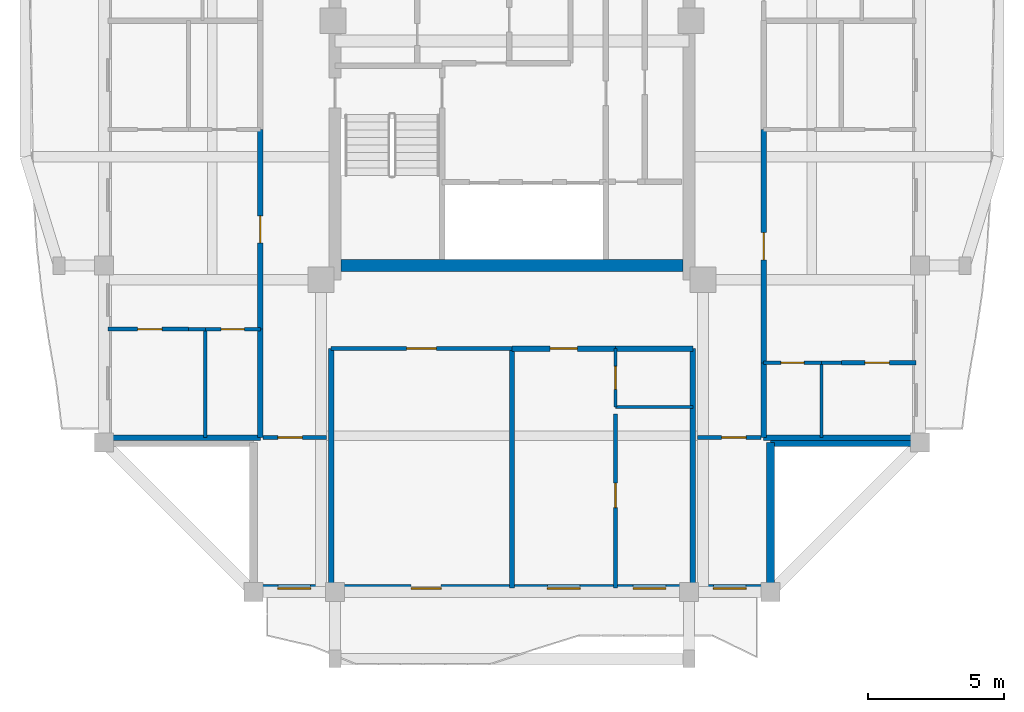
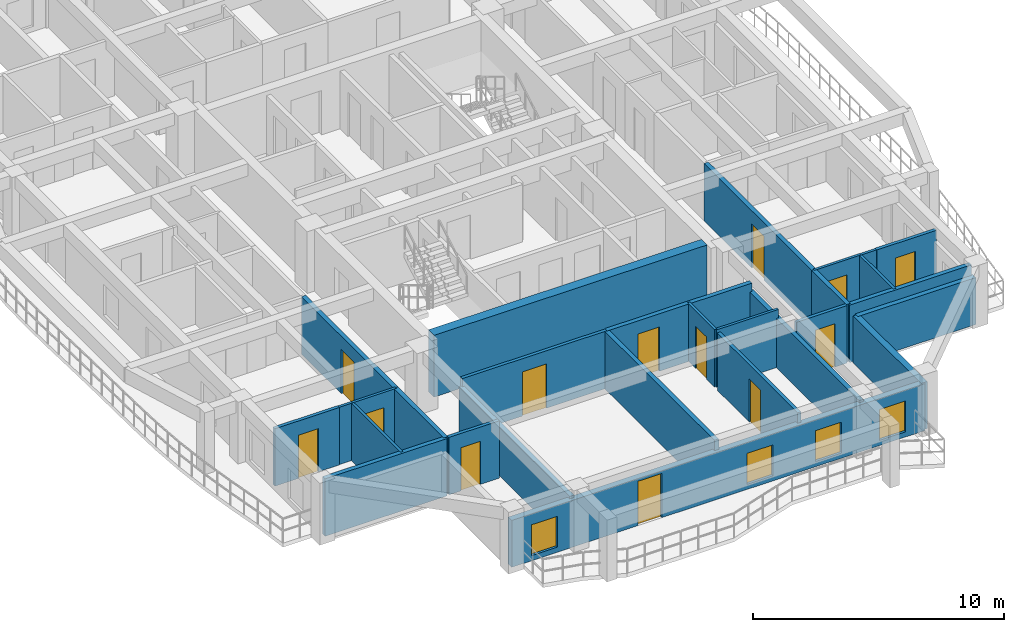
# One storey, part 2 of 12: 29 walls, 13 doors, 4 windows, 17 openings.
"""IFC4 building model written with IfcOpenShell, lengths in metres."""

from ifc_helpers import new_model, si_unit, direction, frame, frame_2d, origin, place, context, subcontext, project, spatial, rectangle, extrude, source, transform, mapped, material, layer, layer_set, type_object, element, fill, save


model = new_model("IFC4")

# Units and contexts
model_context = context("Model", 3, precision=1e-05, world=origin(), true_north=direction((0.0, 1.0)))
body_context = subcontext(model_context, "Body", "Model", "MODEL_VIEW")
ifc_project = project(units=[si_unit("LENGTHUNIT", "METRE"), si_unit("AREAUNIT", "SQUARE_METRE"), si_unit("VOLUMEUNIT", "CUBIC_METRE"), si_unit("PLANEANGLEUNIT", "RADIAN"), si_unit("MASSUNIT", "GRAM", prefix="KILO")], contexts=[model_context])

# Site, building, storey
site_placement = place(None, origin())
site = spatial("IfcSite", under=ifc_project, at=site_placement, CompositionType="ELEMENT")
building_placement = place(site_placement, origin())
building = spatial("IfcBuilding", under=site, at=building_placement, Name="Saelheon Loggia Tower", CompositionType="ELEMENT")
storey_placement = place(building_placement, frame((0.0, 0.0, 243.0)))
storey = spatial("IfcBuildingStorey", under=building, at=storey_placement, Name="L75", CompositionType="ELEMENT", Elevation=243.0)

# Wall
ifc_material_1 = material(Name="Concrete C45/55", Category="concrete")
ifc_layer_1 = layer(ifc_material_1, 0.449951171875)
ifc_layer_set_1 = layer_set([ifc_layer_1], Name="Concrete C45/55")
wall_type_1 = type_object("IfcWallType", Name="Wall_CoreShear_450", PredefinedType="SHEAR", material=ifc_layer_set_1)
wall_1_placement = place(storey_placement, frame((31.72509765625, 18.0, 0.0), z_axis=(0.0, 0.0, 1.0), x_axis=(1.0, 0.0, 0.0)))
element("IfcWall", 1, at=wall_1_placement, inside=storey, type_object=wall_type_1, Name="L75 Core Shear Wall South", PredefinedType="SHEAR", context=body_context, shape_type="SweptSolid", body=[
    extrude(rectangle(XDim=12.5498046875, YDim=0.449951171875, at=frame_2d((6.27490234375, 0.0))), origin(), (0.0, 0.0, 1.0), 3.0),
])

# Wall, openings, windows, door
ifc_material_2 = material(Name="Architectural Precast Concrete C40/50", Category="concrete")
ifc_layer_2 = layer(ifc_material_2, 0.280029296875)
ifc_layer_set_2 = layer_set([ifc_layer_2], Name="Architectural Precast Concrete C40/50")
wall_type_2 = type_object("IfcWallType", Name="Wall_Ext_Loggia_280", PredefinedType="SOLIDWALL", material=ifc_layer_set_2)
wall_2_placement = place(storey_placement, frame((28.5, 6.139892578125, 0.0), z_axis=(0.0, 0.0, 1.0), x_axis=(1.0, 0.0, 0.0)))
wall_2 = element("IfcWall", 2, at=wall_2_placement, inside=storey, type_object=wall_type_2, Name="L75 South Loggia Inner Wall", PredefinedType="SOLIDWALL", context=body_context, shape_type="SweptSolid", body=[
    extrude(rectangle(XDim=19.0, YDim=0.280029296875, at=frame_2d((9.5, 0.0))), origin(), (0.0, 0.0, 1.0), 2.280029296875),
])
opening_1_placement = place(wall_2_placement, frame((0.89990234375, 0.0, 0.25)))
opening_1 = element("IfcOpeningElement", 3, at=opening_1_placement, cuts=wall_2, Name="Opening WN-03", PredefinedType="OPENING", context=body_context, shape_type="SweptSolid", body=[
    extrude(rectangle(XDim=1.199951171875, YDim=1.5, at=frame_2d((0.60009765625, 0.75))), frame((0.0, 0.152099609375, 0.0), z_axis=(0.0, -1.0, 0.0), x_axis=(1.0, 0.0, 0.0)), (0.0, 0.0, 1.0), 0.303955078125),
])
opening_2_placement = place(wall_2_placement, frame((6.89501953125, 0.0, 0.0), z_axis=(0.0, 0.0, 1.0), x_axis=(-1.0, 0.0, 0.0)))
opening_2 = element("IfcOpeningElement", 4, at=opening_2_placement, cuts=wall_2, Name="Opening TD1", PredefinedType="OPENING", context=body_context, shape_type="SweptSolid", body=[
    extrude(rectangle(XDim=1.10009765625, YDim=2.14990234375, at=frame_2d((0.550048828125, 1.074951171875))), frame((0.0, 0.152099609375, 0.0), z_axis=(0.0, -1.0, 0.0), x_axis=(1.0, 0.0, 0.0)), (0.0, 0.0, 1.0), 0.303955078125),
])
opening_3_placement = place(wall_2_placement, frame((10.800048828125, 0.0, 0.25)))
opening_3 = element("IfcOpeningElement", 5, at=opening_3_placement, cuts=wall_2, Name="Opening WN-03", PredefinedType="OPENING", context=body_context, shape_type="SweptSolid", body=[
    extrude(rectangle(XDim=1.199951171875, YDim=1.5, at=frame_2d((0.60009765625, 0.75))), frame((0.0, 0.152099609375, 0.0), z_axis=(0.0, -1.0, 0.0), x_axis=(1.0, 0.0, 0.0)), (0.0, 0.0, 1.0), 0.303955078125),
])
opening_4_placement = place(wall_2_placement, frame((13.955078125, 0.0, 0.25)))
opening_4 = element("IfcOpeningElement", 6, at=opening_4_placement, cuts=wall_2, Name="Opening WN-03", PredefinedType="OPENING", context=body_context, shape_type="SweptSolid", body=[
    extrude(rectangle(XDim=1.199951171875, YDim=1.5, at=frame_2d((0.60009765625, 0.75))), frame((0.0, 0.152099609375, 0.0), z_axis=(0.0, -1.0, 0.0), x_axis=(1.0, 0.0, 0.0)), (0.0, 0.0, 1.0), 0.303955078125),
])
opening_5_placement = place(wall_2_placement, frame((16.89990234375, 0.0, 0.25)))
opening_5 = element("IfcOpeningElement", 7, at=opening_5_placement, cuts=wall_2, Name="Opening WN-03", PredefinedType="OPENING", context=body_context, shape_type="SweptSolid", body=[
    extrude(rectangle(XDim=1.199951171875, YDim=1.5, at=frame_2d((0.60009765625, 0.75))), frame((0.0, 0.152099609375, 0.0), z_axis=(0.0, -1.0, 0.0), x_axis=(1.0, 0.0, 0.0)), (0.0, 0.0, 1.0), 0.303955078125),
])
ifc_material_3 = material(Name="Thermal-Break Aluminium and Triple Low-E Glass", Category="aluminium")
window_type = type_object("IfcWindowType", Name="Win_Bedroom_1200x1500", PartitioningType="SINGLE_PANEL", PredefinedType="WINDOW", material=ifc_material_3)
shared_shape_1 = source(origin(), body_context, "Body", "SweptSolid", [
    extrude(rectangle(XDim=1.199951171875, YDim=1.5, at=frame_2d((0.60009765625, 0.75))), frame((0.0, 0.030029296875, 0.0), z_axis=(0.0, -1.0, 0.0), x_axis=(1.0, 0.0, 0.0)), (0.0, 0.0, 1.0), 0.06005859375),
])
window_1_placement = place(opening_1_placement, origin())
window_1 = element("IfcWindow", 8, at=window_1_placement, inside=storey, type_object=window_type, Name="L75 S Dwelling Window 1", OverallHeight=1.5, OverallWidth=1.199951171875, PartitioningType="SINGLE_PANEL", PredefinedType="WINDOW", context=body_context, shape_type="MappedRepresentation", body=[
    mapped(shared_shape_1, transform((0.0, 0.0, 0.0), scale=1.0)),
])
fill(opening_1, window_1)
window_2_placement = place(opening_3_placement, origin())
window_2 = element("IfcWindow", 9, at=window_2_placement, inside=storey, type_object=window_type, Name="L75 S Dwelling Window 3", OverallHeight=1.5, OverallWidth=1.199951171875, PartitioningType="SINGLE_PANEL", PredefinedType="WINDOW", context=body_context, shape_type="MappedRepresentation", body=[
    mapped(shared_shape_1, transform((0.0, 0.0, 0.0), scale=1.0)),
])
fill(opening_3, window_2)
window_3_placement = place(opening_4_placement, origin())
window_3 = element("IfcWindow", 10, at=window_3_placement, inside=storey, type_object=window_type, Name="L75 S Dwelling Window 4", OverallHeight=1.5, OverallWidth=1.199951171875, PartitioningType="SINGLE_PANEL", PredefinedType="WINDOW", context=body_context, shape_type="MappedRepresentation", body=[
    mapped(shared_shape_1, transform((0.0, 0.0, 0.0), scale=1.0)),
])
fill(opening_4, window_3)
window_4_placement = place(opening_5_placement, origin())
window_4 = element("IfcWindow", 11, at=window_4_placement, inside=storey, type_object=window_type, Name="L75 S Dwelling Window 5", OverallHeight=1.5, OverallWidth=1.199951171875, PartitioningType="SINGLE_PANEL", PredefinedType="WINDOW", context=body_context, shape_type="MappedRepresentation", body=[
    mapped(shared_shape_1, transform((0.0, 0.0, 0.0), scale=1.0)),
])
fill(opening_5, window_4)
ifc_material_4 = material(Name="Thermal-Break Aluminium Glazed Door", Category="aluminium")
door_type_1 = type_object("IfcDoorType", Name="Door_Terrace_TD1", OperationType="NOTDEFINED", PredefinedType="DOOR", material=ifc_material_4)
shared_shape_2 = source(origin(), body_context, "Body", "SweptSolid", [
    extrude(rectangle(XDim=1.10009765625, YDim=2.14990234375, at=frame_2d((0.550048828125, 1.074951171875))), frame((0.0, 0.02490234375, 0.0), z_axis=(0.0, -1.0, 0.0), x_axis=(1.0, 0.0, 0.0)), (0.0, 0.0, 1.0), 0.050048828125),
])
door_1_placement = place(opening_2_placement, origin())
door_1 = element("IfcDoor", 12, at=door_1_placement, inside=storey, type_object=door_type_1, Name="L75 S Loggia Access Door", OperationType="SINGLE_SWING_RIGHT", OverallHeight=2.14990234375, OverallWidth=1.10009765625, PredefinedType="DOOR", context=body_context, shape_type="MappedRepresentation", body=[
    mapped(shared_shape_2, transform((0.0, 0.0, 0.0), scale=1.0)),
])
fill(opening_2, door_1)

# Walls
for number, where, z_axis, x_axis, name in (
    (13, (47.5, 6.080078125, 0.0), (0.0, 0.0, 1.0), (0.0, 1.0, 0.0), "L75 Corner Notch Precast Wall SE1"),
    (14, (47.5, 11.5, 0.0), (0.0, 0.0, 1.0), (1.0, 0.0, 0.0), "L75 Corner Notch Precast Wall SE2"),
):
    element("IfcWall", number, at=place(storey_placement, frame(where, z_axis=z_axis, x_axis=x_axis)), inside=storey, type_object=wall_type_2, Name=name, PredefinedType="SOLIDWALL", context=body_context, shape_type="SweptSolid", body=[
        extrude(rectangle(XDim=5.419921875, YDim=0.280029296875, at=frame_2d((2.7099609375, 0.0))), origin(), (0.0, 0.0, 1.0), 2.280029296875),
    ])

# Wall, opening, door
ifc_material_5 = material(Name="Lightweight Autoclaved Aerated Concrete Block and Acoustic Gypsum", Category="concrete")
ifc_layer_3 = layer(ifc_material_5, 0.14990234375)
ifc_layer_set_3 = layer_set([ifc_layer_3], Name="Lightweight Autoclaved Aerated Concrete Block and Acoustic Gypsum")
wall_type_3 = type_object("IfcWallType", Name="Wall_Part_150", PredefinedType="PARTITIONING", material=ifc_layer_set_3)
wall_3_placement = place(storey_placement, frame((28.85009765625, 11.679931640625, 0.0), z_axis=(0.0, 0.0, 1.0), x_axis=(1.0, 0.0, 0.0)))
wall_3 = element("IfcWall", 15, at=wall_3_placement, inside=storey, type_object=wall_type_3, Name="PW-L75-CSW-H", PredefinedType="PARTITIONING", context=body_context, shape_type="SweptSolid", body=[
    extrude(rectangle(XDim=2.329833984375, YDim=0.14990234375, at=frame_2d((1.1650390625, 0.0))), origin(), (0.0, 0.0, 1.0), 2.7900390625),
])
opening_6_placement = place(wall_3_placement, frame((0.550048828125, 0.0, 0.0)))
opening_6 = element("IfcOpeningElement", 16, at=opening_6_placement, cuts=wall_3, Name="Opening D-IN2", PredefinedType="OPENING", context=body_context, shape_type="SweptSolid", body=[
    extrude(rectangle(XDim=0.89990234375, YDim=2.10009765625, at=frame_2d((0.449951171875, 1.050048828125))), frame((0.0, 0.0869140625, 0.0), z_axis=(0.0, -1.0, 0.0), x_axis=(1.0, 0.0, 0.0)), (0.0, 0.0, 1.0), 0.173828125),
])
ifc_material_6 = material(Name="Engineered Oak Flush Door", Category="timber")
door_type_2 = type_object("IfcDoorType", Name="Door_Int_900", OperationType="NOTDEFINED", PredefinedType="DOOR", material=ifc_material_6)
shared_shape_3 = source(origin(), body_context, "Body", "SweptSolid", [
    extrude(rectangle(XDim=0.89990234375, YDim=2.10009765625, at=frame_2d((0.449951171875, 1.050048828125))), frame((0.0, 0.02490234375, 0.0), z_axis=(0.0, -1.0, 0.0), x_axis=(1.0, 0.0, 0.0)), (0.0, 0.0, 1.0), 0.050048828125),
])
door_2_placement = place(opening_6_placement, origin())
door_2 = element("IfcDoor", 17, at=door_2_placement, inside=storey, type_object=door_type_2, Name="L75 Corner Home Office SW Door", OperationType="SINGLE_SWING_LEFT", OverallHeight=2.10009765625, OverallWidth=0.89990234375, PredefinedType="DOOR", context=body_context, shape_type="MappedRepresentation", body=[
    mapped(shared_shape_3, transform((0.0, 0.0, 0.0), scale=1.0)),
])
fill(opening_6, door_2)

wall_4_placement = place(storey_placement, frame((44.820068359375, 11.679931640625, 0.0), z_axis=(0.0, 0.0, 1.0), x_axis=(1.0, 0.0, 0.0)))
wall_4 = element("IfcWall", 18, at=wall_4_placement, inside=storey, type_object=wall_type_3, Name="PW-L75-CSE-H", PredefinedType="PARTITIONING", context=body_context, shape_type="SweptSolid", body=[
    extrude(rectangle(XDim=2.329833984375, YDim=0.14990234375, at=frame_2d((1.1650390625, 0.0))), origin(), (0.0, 0.0, 1.0), 2.7900390625),
])
opening_7_placement = place(wall_4_placement, frame((0.8798828125, 0.0, 0.0)))
opening_7 = element("IfcOpeningElement", 19, at=opening_7_placement, cuts=wall_4, Name="Opening D-IN2", PredefinedType="OPENING", context=body_context, shape_type="SweptSolid", body=[
    extrude(rectangle(XDim=0.89990234375, YDim=2.10009765625, at=frame_2d((0.449951171875, 1.050048828125))), frame((0.0, 0.0869140625, 0.0), z_axis=(0.0, -1.0, 0.0), x_axis=(1.0, 0.0, 0.0)), (0.0, 0.0, 1.0), 0.173828125),
])
door_3_placement = place(opening_7_placement, origin())
door_3 = element("IfcDoor", 20, at=door_3_placement, inside=storey, type_object=door_type_2, Name="L75 Corner Reading Room SE Door", OperationType="SINGLE_SWING_LEFT", OverallHeight=2.10009765625, OverallWidth=0.89990234375, PredefinedType="DOOR", context=body_context, shape_type="MappedRepresentation", body=[
    mapped(shared_shape_3, transform((0.0, 0.0, 0.0), scale=1.0)),
])
fill(opening_7, door_3)

wall_5_placement = place(storey_placement, frame((31.35009765625, 14.949951171875, 0.0), z_axis=(0.0, 0.0, 1.0), x_axis=(1.0, 0.0, 0.0)))
wall_5 = element("IfcWall", 21, at=wall_5_placement, inside=storey, type_object=wall_type_3, Name="L75 S Partition V03", PredefinedType="PARTITIONING", context=body_context, shape_type="SweptSolid", body=[
    extrude(rectangle(XDim=6.64990234375, YDim=0.14990234375, at=frame_2d((3.324951171875, 0.0))), origin(), (0.0, 0.0, 1.0), 2.7900390625),
])
opening_8_placement = place(wall_5_placement, frame((2.77490234375, 0.0, 0.0)))
opening_8 = element("IfcOpeningElement", 22, at=opening_8_placement, cuts=wall_5, Name="Opening D-FD2", PredefinedType="OPENING", context=body_context, shape_type="SweptSolid", body=[
    extrude(rectangle(XDim=1.10009765625, YDim=2.14990234375, at=frame_2d((0.550048828125, 1.074951171875))), frame((0.0, 0.0869140625, 0.0), z_axis=(0.0, -1.0, 0.0), x_axis=(1.0, 0.0, 0.0)), (0.0, 0.0, 1.0), 0.173828125),
])
ifc_material_7 = material(Name="Galvanised Steel Fire Door", Category="steel")
door_type_3 = type_object("IfcDoorType", Name="Door_Fire_FD60_1100", OperationType="NOTDEFINED", PredefinedType="DOOR", material=ifc_material_7)
door_4_placement = place(opening_8_placement, origin())
door_4 = element("IfcDoor", 23, at=door_4_placement, inside=storey, type_object=door_type_3, Name="L75 Community Reading Library Door A", OperationType="SINGLE_SWING_LEFT", OverallHeight=2.14990234375, OverallWidth=1.10009765625, PredefinedType="DOOR", context=body_context, shape_type="MappedRepresentation", body=[
    mapped(shared_shape_2, transform((0.0, 0.0, 0.0), scale=1.0)),
])
fill(opening_8, door_4)

wall_6_placement = place(storey_placement, frame((41.800048828125, 12.550048828125, 0.0), z_axis=(0.0, 0.0, 1.0), x_axis=(0.0, -1.0, 0.0)))
wall_6 = element("IfcWall", 24, at=wall_6_placement, inside=storey, type_object=wall_type_3, Name="L75 S Partition U09", PredefinedType="PARTITIONING", context=body_context, shape_type="SweptSolid", body=[
    extrude(rectangle(XDim=6.400146484375, YDim=0.14990234375, at=frame_2d((3.2001953125, 0.0))), origin(), (0.0, 0.0, 1.0), 2.7900390625),
])
opening_9_placement = place(wall_6_placement, frame((2.540771484375, 0.0, 0.0)))
opening_9 = element("IfcOpeningElement", 25, at=opening_9_placement, cuts=wall_6, Name="Opening D-IN2", PredefinedType="OPENING", context=body_context, shape_type="SweptSolid", body=[
    extrude(rectangle(XDim=0.89990234375, YDim=2.10009765625, at=frame_2d((0.449951171875, 1.050048828125))), frame((0.0, 0.0869140625, 0.0), z_axis=(0.0, -1.0, 0.0), x_axis=(1.0, 0.0, 0.0)), (0.0, 0.0, 1.0), 0.173828125),
])
door_5_placement = place(opening_9_placement, origin())
door_5 = element("IfcDoor", 26, at=door_5_placement, inside=storey, type_object=door_type_2, Name="Unit U01 Kitchen Door", OperationType="SINGLE_SWING_RIGHT", OverallHeight=2.10009765625, OverallWidth=0.89990234375, PredefinedType="DOOR", context=body_context, shape_type="MappedRepresentation", body=[
    mapped(shared_shape_3, transform((0.0, 0.0, 0.0), scale=1.0)),
])
fill(opening_9, door_5)

wall_7_placement = place(storey_placement, frame((26.110107421875, 15.6630859375, 0.0), z_axis=(0.0, 0.0, 1.0), x_axis=(-1.0, 0.0, 0.0)))
wall_7 = element("IfcWall", 27, at=wall_7_placement, inside=storey, type_object=wall_type_3, Name="L75 W Partition U10", PredefinedType="PARTITIONING", context=body_context, shape_type="SweptSolid", body=[
    extrude(rectangle(XDim=2.960205078125, YDim=0.14990234375, at=frame_2d((1.47998046875, 0.0))), origin(), (0.0, 0.0, 1.0), 2.7900390625),
])
opening_10_placement = place(wall_7_placement, frame((0.964111328125, 0.0, 0.0)))
opening_10 = element("IfcOpeningElement", 28, at=opening_10_placement, cuts=wall_7, Name="Opening D-IN2", PredefinedType="OPENING", context=body_context, shape_type="SweptSolid", body=[
    extrude(rectangle(XDim=0.89990234375, YDim=2.10009765625, at=frame_2d((0.449951171875, 1.050048828125))), frame((0.0, 0.0869140625, 0.0), z_axis=(0.0, -1.0, 0.0), x_axis=(1.0, 0.0, 0.0)), (0.0, 0.0, 1.0), 0.173828125),
])
door_6_placement = place(opening_10_placement, origin())
door_6 = element("IfcDoor", 29, at=door_6_placement, inside=storey, type_object=door_type_2, Name="Unit U03 Bedroom 2 Door", OperationType="SINGLE_SWING_RIGHT", OverallHeight=2.10009765625, OverallWidth=0.89990234375, PredefinedType="DOOR", context=body_context, shape_type="MappedRepresentation", body=[
    mapped(shared_shape_3, transform((0.0, 0.0, 0.0), scale=1.0)),
])
fill(opening_10, door_6)

wall_8_placement = place(storey_placement, frame((50.10009765625, 14.429931640625, 0.0), z_axis=(0.0, 0.0, 1.0), x_axis=(1.0, 0.0, 0.0)))
wall_8 = element("IfcWall", 30, at=wall_8_placement, inside=storey, type_object=wall_type_3, Name="L75 E Partition U10", PredefinedType="PARTITIONING", context=body_context, shape_type="SweptSolid", body=[
    extrude(rectangle(XDim=2.75, YDim=0.14990234375, at=frame_2d((1.375, 0.0))), origin(), (0.0, 0.0, 1.0), 2.7900390625),
])
opening_11_placement = place(wall_8_placement, frame((0.867919921875, 0.0, 0.0)))
opening_11 = element("IfcOpeningElement", 31, at=opening_11_placement, cuts=wall_8, Name="Opening D-IN2", PredefinedType="OPENING", context=body_context, shape_type="SweptSolid", body=[
    extrude(rectangle(XDim=0.89990234375, YDim=2.10009765625, at=frame_2d((0.449951171875, 1.050048828125))), frame((0.0, 0.0869140625, 0.0), z_axis=(0.0, -1.0, 0.0), x_axis=(1.0, 0.0, 0.0)), (0.0, 0.0, 1.0), 0.173828125),
])
door_7_placement = place(opening_11_placement, origin())
door_7 = element("IfcDoor", 32, at=door_7_placement, inside=storey, type_object=door_type_2, Name="Unit U05 Kitchen Door", OperationType="SINGLE_SWING_RIGHT", OverallHeight=2.10009765625, OverallWidth=0.89990234375, PredefinedType="DOOR", context=body_context, shape_type="MappedRepresentation", body=[
    mapped(shared_shape_3, transform((0.0, 0.0, 0.0), scale=1.0)),
])
fill(opening_11, door_7)

# Walls
ifc_material_8 = material(Name="Double Acoustic Stud and Fireboard Partition", Category="gypsum")
ifc_layer_4 = layer(ifc_material_8, 0.199951171875)
ifc_layer_set_4 = layer_set([ifc_layer_4], Name="Double Acoustic Stud and Fireboard Partition")
wall_type_4 = type_object("IfcWallType", Name="Wall_Party_200", PredefinedType="PARTITIONING", material=ifc_layer_set_4)
for number, where, z_axis, x_axis, name in (
    (33, (31.35009765625, 14.949951171875, 0.0), (0.0, 0.0, 1.0), (0.0, -1.0, 0.0), "L75 S Partition U01"),
    (34, (44.64990234375, 14.949951171875, 0.0), (0.0, 0.0, 1.0), (0.0, -1.0, 0.0), "L75 S Partition U02"),
):
    element("IfcWall", number, at=place(storey_placement, frame(where, z_axis=z_axis, x_axis=x_axis)), inside=storey, type_object=wall_type_4, Name=name, PredefinedType="PARTITIONING", context=body_context, shape_type="SweptSolid", body=[
        extrude(rectangle(XDim=8.800048828125, YDim=0.199951171875, at=frame_2d((4.39990234375, 0.0))), origin(), (0.0, 0.0, 1.0), 2.389892578125),
    ])
wall_9_placement = place(storey_placement, frame((38.0, 14.949951171875, 0.0), z_axis=(0.0, 0.0, 1.0), x_axis=(0.0, -1.0, 0.0)))
element("IfcWall", 35, at=wall_9_placement, inside=storey, type_object=wall_type_4, Name="L75 S Partition U04", PredefinedType="PARTITIONING", context=body_context, shape_type="SweptSolid", body=[
    extrude(rectangle(XDim=8.800048828125, YDim=0.199951171875, at=frame_2d((4.39990234375, 0.0))), origin(), (0.0, 0.0, 1.0), 2.7900390625),
])

# Wall, opening, door
wall_10_placement = place(storey_placement, frame((38.0, 14.949951171875, 0.0), z_axis=(0.0, 0.0, 1.0), x_axis=(1.0, 0.0, 0.0)))
wall_10 = element("IfcWall", 36, at=wall_10_placement, inside=storey, type_object=wall_type_4, Name="L75 S Partition V05", PredefinedType="PARTITIONING", context=body_context, shape_type="SweptSolid", body=[
    extrude(rectangle(XDim=3.800048828125, YDim=0.199951171875, at=frame_2d((1.89990234375, 0.0))), origin(), (0.0, 0.0, 1.0), 2.7900390625),
])
opening_12_placement = place(wall_10_placement, frame((1.39990234375, 0.0, 0.0)))
opening_12 = element("IfcOpeningElement", 37, at=opening_12_placement, cuts=wall_10, Name="Opening D-FD1", PredefinedType="OPENING", context=body_context, shape_type="SweptSolid", body=[
    extrude(rectangle(XDim=1.0, YDim=2.14990234375, at=frame_2d((0.5, 1.074951171875))), frame((0.0, 0.112060546875, 0.0), z_axis=(0.0, -1.0, 0.0), x_axis=(1.0, 0.0, 0.0)), (0.0, 0.0, 1.0), 0.223876953125),
])
ifc_material_9 = material(Name="Fire-Rated Engineered Timber Entrance Door", Category="wood")
door_type_4 = type_object("IfcDoorType", Name="Door_Flat_FD30S", OperationType="NOTDEFINED", PredefinedType="DOOR", material=ifc_material_9)
shared_shape_4 = source(origin(), body_context, "Body", "SweptSolid", [
    extrude(rectangle(XDim=1.0, YDim=2.14990234375, at=frame_2d((0.5, 1.074951171875))), frame((0.0, 0.02490234375, 0.0), z_axis=(0.0, -1.0, 0.0), x_axis=(1.0, 0.0, 0.0)), (0.0, 0.0, 1.0), 0.050048828125),
])
door_8_placement = place(opening_12_placement, origin())
door_8 = element("IfcDoor", 38, at=door_8_placement, inside=storey, type_object=door_type_4, Name="Unit U01 Entrance Door", OperationType="SINGLE_SWING_RIGHT", OverallHeight=2.14990234375, OverallWidth=1.0, PredefinedType="DOOR", context=body_context, shape_type="MappedRepresentation", body=[
    mapped(shared_shape_4, transform((0.0, 0.0, 0.0), scale=1.0)),
])
fill(opening_12, door_8)

# Walls
wall_11_placement = place(storey_placement, frame((41.800048828125, 14.949951171875, 0.0), z_axis=(0.0, 0.0, 1.0), x_axis=(1.0, 0.0, 0.0)))
element("IfcWall", 39, at=wall_11_placement, inside=storey, type_object=wall_type_4, Name="L75 S Partition V06", PredefinedType="PARTITIONING", context=body_context, shape_type="SweptSolid", body=[
    extrude(rectangle(XDim=2.849853515625, YDim=0.199951171875, at=frame_2d((1.4248046875, 0.0))), origin(), (0.0, 0.0, 1.0), 2.7900390625),
])
wall_12_placement = place(storey_placement, frame((28.75, 11.679931640625, 0.0), z_axis=(0.0, 0.0, 1.0), x_axis=(-1.0, 0.0, 0.0)))
element("IfcWall", 40, at=wall_12_placement, inside=storey, type_object=wall_type_4, Name="L75 W Partition U01", PredefinedType="PARTITIONING", context=body_context, shape_type="SweptSolid", body=[
    extrude(rectangle(XDim=5.60009765625, YDim=0.199951171875, at=frame_2d((2.800048828125, 0.0))), origin(), (0.0, 0.0, 1.0), 2.7900390625),
])
wall_13_placement = place(storey_placement, frame((28.75, 11.679931640625, 0.0), z_axis=(0.0, 0.0, 1.0), x_axis=(0.0, 1.0, 0.0)))
element("IfcWall", 41, at=wall_13_placement, inside=storey, type_object=wall_type_4, Name="L75 W Partition V03", PredefinedType="PARTITIONING", context=body_context, shape_type="SweptSolid", body=[
    extrude(rectangle(XDim=3.983154296875, YDim=0.199951171875, at=frame_2d((1.99169921875, 0.0))), origin(), (0.0, 0.0, 1.0), 2.7900390625),
])

# Wall, opening, door
wall_14_placement = place(storey_placement, frame((28.75, 15.6630859375, 0.0), z_axis=(0.0, 0.0, 1.0), x_axis=(0.0, 1.0, 0.0)))
wall_14 = element("IfcWall", 42, at=wall_14_placement, inside=storey, type_object=wall_type_4, Name="L75 W Partition V04", PredefinedType="PARTITIONING", context=body_context, shape_type="SweptSolid", body=[
    extrude(rectangle(XDim=7.3369140625, YDim=0.199951171875, at=frame_2d((3.66845703125, 0.0))), origin(), (0.0, 0.0, 1.0), 2.7900390625),
])
opening_13_placement = place(wall_14_placement, frame((3.16845703125, 0.0, 0.0)))
opening_13 = element("IfcOpeningElement", 43, at=opening_13_placement, cuts=wall_14, Name="Opening D-FD1", PredefinedType="OPENING", context=body_context, shape_type="SweptSolid", body=[
    extrude(rectangle(XDim=1.0, YDim=2.14990234375, at=frame_2d((0.5, 1.074951171875))), frame((0.0, 0.112060546875, 0.0), z_axis=(0.0, -1.0, 0.0), x_axis=(1.0, 0.0, 0.0)), (0.0, 0.0, 1.0), 0.223876953125),
])
door_9_placement = place(opening_13_placement, origin())
door_9 = element("IfcDoor", 44, at=door_9_placement, inside=storey, type_object=door_type_4, Name="Unit U03 Entrance Door", OperationType="SINGLE_SWING_RIGHT", OverallHeight=2.14990234375, OverallWidth=1.0, PredefinedType="DOOR", context=body_context, shape_type="MappedRepresentation", body=[
    mapped(shared_shape_4, transform((0.0, 0.0, 0.0), scale=1.0)),
])
fill(opening_13, door_9)

# Walls
wall_15_placement = place(storey_placement, frame((47.25, 11.679931640625, 0.0), z_axis=(0.0, 0.0, 1.0), x_axis=(1.0, 0.0, 0.0)))
element("IfcWall", 45, at=wall_15_placement, inside=storey, type_object=wall_type_4, Name="L75 E Partition U01", PredefinedType="PARTITIONING", context=body_context, shape_type="SweptSolid", body=[
    extrude(rectangle(XDim=5.60009765625, YDim=0.199951171875, at=frame_2d((2.800048828125, 0.0))), origin(), (0.0, 0.0, 1.0), 2.7900390625),
])
wall_16_placement = place(storey_placement, frame((47.25, 11.679931640625, 0.0), z_axis=(0.0, 0.0, 1.0), x_axis=(0.0, 1.0, 0.0)))
element("IfcWall", 46, at=wall_16_placement, inside=storey, type_object=wall_type_4, Name="L75 E Partition V03", PredefinedType="PARTITIONING", context=body_context, shape_type="SweptSolid", body=[
    extrude(rectangle(XDim=2.75, YDim=0.199951171875, at=frame_2d((1.375, 0.0))), origin(), (0.0, 0.0, 1.0), 2.7900390625),
])

# Wall, opening, door
wall_17_placement = place(storey_placement, frame((47.25, 14.429931640625, 0.0), z_axis=(0.0, 0.0, 1.0), x_axis=(0.0, 1.0, 0.0)))
wall_17 = element("IfcWall", 47, at=wall_17_placement, inside=storey, type_object=wall_type_4, Name="L75 E Partition V04", PredefinedType="PARTITIONING", context=body_context, shape_type="SweptSolid", body=[
    extrude(rectangle(XDim=8.570068359375, YDim=0.199951171875, at=frame_2d((4.28515625, 0.0))), origin(), (0.0, 0.0, 1.0), 2.7900390625),
])
opening_14_placement = place(wall_17_placement, frame((3.784912109375, 0.0, 0.0)))
opening_14 = element("IfcOpeningElement", 48, at=opening_14_placement, cuts=wall_17, Name="Opening D-FD1", PredefinedType="OPENING", context=body_context, shape_type="SweptSolid", body=[
    extrude(rectangle(XDim=1.0, YDim=2.14990234375, at=frame_2d((0.5, 1.074951171875))), frame((0.0, 0.112060546875, 0.0), z_axis=(0.0, -1.0, 0.0), x_axis=(1.0, 0.0, 0.0)), (0.0, 0.0, 1.0), 0.223876953125),
])
door_10_placement = place(opening_14_placement, origin())
door_10 = element("IfcDoor", 49, at=door_10_placement, inside=storey, type_object=door_type_4, Name="Unit U05 Entrance Door", OperationType="SINGLE_SWING_RIGHT", OverallHeight=2.14990234375, OverallWidth=1.0, PredefinedType="DOOR", context=body_context, shape_type="MappedRepresentation", body=[
    mapped(shared_shape_4, transform((0.0, 0.0, 0.0), scale=1.0)),
])
fill(opening_14, door_10)

ifc_material_10 = material(Name="Moisture-Resistant Cement Board Partition", Category="gypsum")
ifc_layer_5 = layer(ifc_material_10, 0.1201171875)
ifc_layer_set_5 = layer_set([ifc_layer_5], Name="Moisture-Resistant Cement Board Partition")
wall_type_5 = type_object("IfcWallType", Name="Wall_WetPart_120", PredefinedType="PARTITIONING", material=ifc_layer_set_5)
wall_18_placement = place(storey_placement, frame((41.800048828125, 14.949951171875, 0.0), z_axis=(0.0, 0.0, 1.0), x_axis=(0.0, -1.0, 0.0)))
wall_18 = element("IfcWall", 50, at=wall_18_placement, inside=storey, type_object=wall_type_5, Name="L75 S Partition U07", PredefinedType="PARTITIONING", context=body_context, shape_type="SweptSolid", body=[
    extrude(rectangle(XDim=2.14990234375, YDim=0.1201171875, at=frame_2d((1.074951171875, 0.0))), origin(), (0.0, 0.0, 1.0), 2.7900390625),
])
opening_15_placement = place(wall_18_placement, frame((0.64990234375, 0.0, 0.0)))
opening_15 = element("IfcOpeningElement", 51, at=opening_15_placement, cuts=wall_18, Name="Opening D-BT1", PredefinedType="OPENING", context=body_context, shape_type="SweptSolid", body=[
    extrude(rectangle(XDim=0.85009765625, YDim=2.050048828125, at=frame_2d((0.425048828125, 1.02490234375))), frame((0.0, 0.072021484375, 0.0), z_axis=(0.0, -1.0, 0.0), x_axis=(1.0, 0.0, 0.0)), (0.0, 0.0, 1.0), 0.14404296875),
])
ifc_material_11 = material(Name="Moisture-Resistant Laminate Timber Door", Category="wood")
door_type_5 = type_object("IfcDoorType", Name="Door_Bath_850", OperationType="NOTDEFINED", PredefinedType="DOOR", material=ifc_material_11)
shared_shape_5 = source(origin(), body_context, "Body", "SweptSolid", [
    extrude(rectangle(XDim=0.85009765625, YDim=2.050048828125, at=frame_2d((0.425048828125, 1.02490234375))), frame((0.0, 0.02490234375, 0.0), z_axis=(0.0, -1.0, 0.0), x_axis=(1.0, 0.0, 0.0)), (0.0, 0.0, 1.0), 0.050048828125),
])
door_11_placement = place(opening_15_placement, origin())
door_11 = element("IfcDoor", 52, at=door_11_placement, inside=storey, type_object=door_type_5, Name="Unit U01 Bathroom Door", OperationType="SINGLE_SWING_LEFT", OverallHeight=2.050048828125, OverallWidth=0.85009765625, PredefinedType="DOOR", context=body_context, shape_type="MappedRepresentation", body=[
    mapped(shared_shape_5, transform((0.0, 0.0, 0.0), scale=1.0)),
])
fill(opening_15, door_11)

# Walls
wall_19_placement = place(storey_placement, frame((41.800048828125, 12.800048828125, 0.0), z_axis=(0.0, 0.0, 1.0), x_axis=(1.0, 0.0, 0.0)))
element("IfcWall", 53, at=wall_19_placement, inside=storey, type_object=wall_type_5, Name="L75 S Partition V08", PredefinedType="PARTITIONING", context=body_context, shape_type="SweptSolid", body=[
    extrude(rectangle(XDim=2.849853515625, YDim=0.1201171875, at=frame_2d((1.4248046875, 0.0))), origin(), (0.0, 0.0, 1.0), 2.7900390625),
])
wall_20_placement = place(storey_placement, frame((26.72998046875, 11.679931640625, 0.0), z_axis=(0.0, 0.0, 1.0), x_axis=(0.0, 1.0, 0.0)))
element("IfcWall", 54, at=wall_20_placement, inside=storey, type_object=wall_type_5, Name="L75 W Partition V06", PredefinedType="PARTITIONING", context=body_context, shape_type="SweptSolid", body=[
    extrude(rectangle(XDim=3.983154296875, YDim=0.1201171875, at=frame_2d((1.99169921875, 0.0))), origin(), (0.0, 0.0, 1.0), 2.7900390625),
])

# Wall, opening, door
wall_21_placement = place(storey_placement, frame((28.75, 15.6630859375, 0.0), z_axis=(0.0, 0.0, 1.0), x_axis=(-1.0, 0.0, 0.0)))
wall_21 = element("IfcWall", 55, at=wall_21_placement, inside=storey, type_object=wall_type_5, Name="L75 W Partition U08", PredefinedType="PARTITIONING", context=body_context, shape_type="SweptSolid", body=[
    extrude(rectangle(XDim=2.02001953125, YDim=0.1201171875, at=frame_2d((1.010009765625, 0.0))), origin(), (0.0, 0.0, 1.0), 2.7900390625),
])
opening_16_placement = place(wall_21_placement, frame((0.5849609375, 0.0, 0.0)))
opening_16 = element("IfcOpeningElement", 56, at=opening_16_placement, cuts=wall_21, Name="Opening D-BT1", PredefinedType="OPENING", context=body_context, shape_type="SweptSolid", body=[
    extrude(rectangle(XDim=0.85009765625, YDim=2.050048828125, at=frame_2d((0.425048828125, 1.02490234375))), frame((0.0, 0.072021484375, 0.0), z_axis=(0.0, -1.0, 0.0), x_axis=(1.0, 0.0, 0.0)), (0.0, 0.0, 1.0), 0.14404296875),
])
door_12_placement = place(opening_16_placement, origin())
door_12 = element("IfcDoor", 57, at=door_12_placement, inside=storey, type_object=door_type_5, Name="Unit U03 Bathroom Door", OperationType="SINGLE_SWING_LEFT", OverallHeight=2.050048828125, OverallWidth=0.85009765625, PredefinedType="DOOR", context=body_context, shape_type="MappedRepresentation", body=[
    mapped(shared_shape_5, transform((0.0, 0.0, 0.0), scale=1.0)),
])
fill(opening_16, door_12)

# Walls
wall_22_placement = place(storey_placement, frame((26.72998046875, 15.6630859375, 0.0), z_axis=(0.0, 0.0, 1.0), x_axis=(-1.0, 0.0, 0.0)))
element("IfcWall", 58, at=wall_22_placement, inside=storey, type_object=wall_type_5, Name="L75 W Partition U09", PredefinedType="PARTITIONING", context=body_context, shape_type="SweptSolid", body=[
    extrude(rectangle(XDim=0.619873046875, YDim=0.1201171875, at=frame_2d((0.31005859375, 0.0))), origin(), (0.0, 0.0, 1.0), 2.7900390625),
])
wall_23_placement = place(storey_placement, frame((49.3701171875, 11.679931640625, 0.0), z_axis=(0.0, 0.0, 1.0), x_axis=(0.0, 1.0, 0.0)))
element("IfcWall", 59, at=wall_23_placement, inside=storey, type_object=wall_type_5, Name="L75 E Partition V06", PredefinedType="PARTITIONING", context=body_context, shape_type="SweptSolid", body=[
    extrude(rectangle(XDim=2.75, YDim=0.1201171875, at=frame_2d((1.375, 0.0))), origin(), (0.0, 0.0, 1.0), 2.7900390625),
])

# Wall, opening, door
wall_24_placement = place(storey_placement, frame((47.25, 14.429931640625, 0.0), z_axis=(0.0, 0.0, 1.0), x_axis=(1.0, 0.0, 0.0)))
wall_24 = element("IfcWall", 60, at=wall_24_placement, inside=storey, type_object=wall_type_5, Name="L75 E Partition U08", PredefinedType="PARTITIONING", context=body_context, shape_type="SweptSolid", body=[
    extrude(rectangle(XDim=2.1201171875, YDim=0.1201171875, at=frame_2d((1.06005859375, 0.0))), origin(), (0.0, 0.0, 1.0), 2.7900390625),
])
opening_17_placement = place(wall_24_placement, frame((0.635009765625, 0.0, 0.0)))
opening_17 = element("IfcOpeningElement", 61, at=opening_17_placement, cuts=wall_24, Name="Opening D-BT1", PredefinedType="OPENING", context=body_context, shape_type="SweptSolid", body=[
    extrude(rectangle(XDim=0.85009765625, YDim=2.050048828125, at=frame_2d((0.425048828125, 1.02490234375))), frame((0.0, 0.072021484375, 0.0), z_axis=(0.0, -1.0, 0.0), x_axis=(1.0, 0.0, 0.0)), (0.0, 0.0, 1.0), 0.14404296875),
])
door_13_placement = place(opening_17_placement, origin())
door_13 = element("IfcDoor", 62, at=door_13_placement, inside=storey, type_object=door_type_5, Name="Unit U05 Bathroom Door", OperationType="SINGLE_SWING_LEFT", OverallHeight=2.050048828125, OverallWidth=0.85009765625, PredefinedType="DOOR", context=body_context, shape_type="MappedRepresentation", body=[
    mapped(shared_shape_5, transform((0.0, 0.0, 0.0), scale=1.0)),
])
fill(opening_17, door_13)

# Wall
wall_25_placement = place(storey_placement, frame((49.3701171875, 14.429931640625, 0.0), z_axis=(0.0, 0.0, 1.0), x_axis=(1.0, 0.0, 0.0)))
element("IfcWall", 63, at=wall_25_placement, inside=storey, type_object=wall_type_5, Name="L75 E Partition U09", PredefinedType="PARTITIONING", context=body_context, shape_type="SweptSolid", body=[
    extrude(rectangle(XDim=0.72998046875, YDim=0.1201171875, at=frame_2d((0.364990234375, 0.0))), origin(), (0.0, 0.0, 1.0), 2.7900390625),
])

save(model, "model.ifc")
